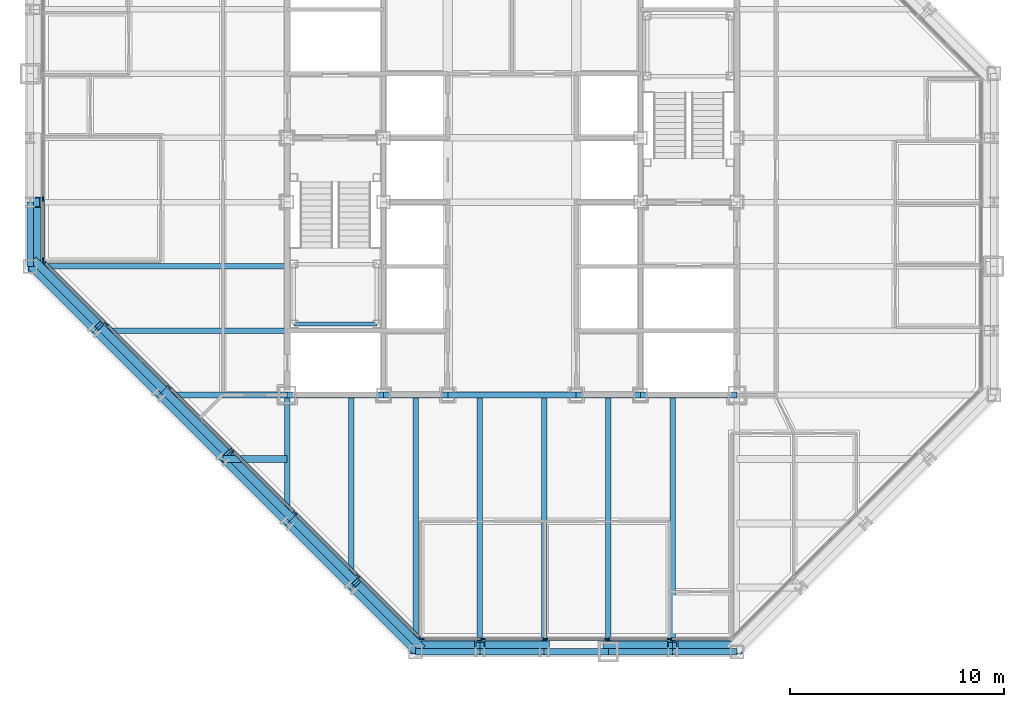
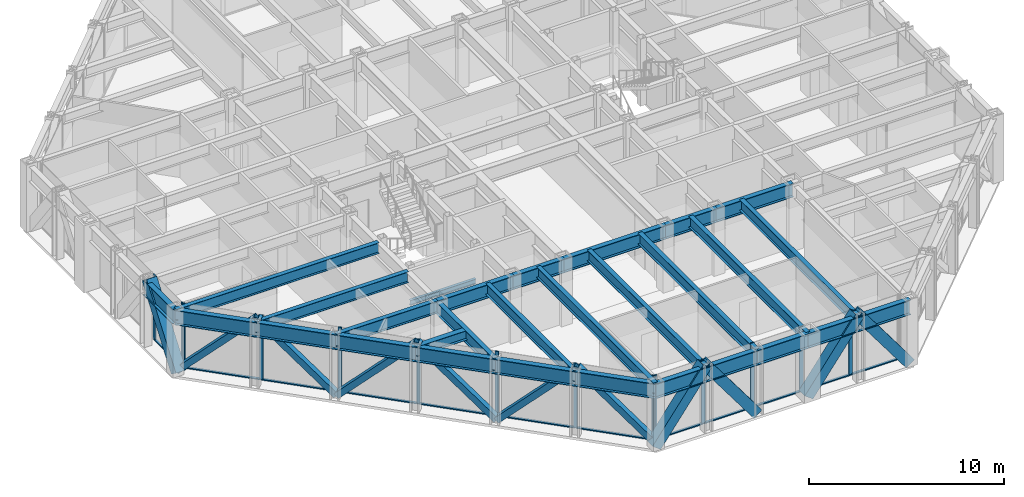
# One storey, part 5 of 16: 37 members, 29 beams, 3 elements without a shape of their own.
"""IFC4 building model written with IfcOpenShell, lengths in metres."""

from ifc_helpers import new_model, si_unit, direction, frame, origin, origin_2d, place, context, subcontext, project, spatial, rectangle, hollow_rectangle, i_section, extrude, material, layer, layer_set, material_profile, profile_set, type_object, element, aggregate, save


model = new_model("IFC4")

# Units and contexts
model_context = context("Model", 3, precision=1e-05, world=origin(), true_north=direction((0.0, 1.0)))
body_context = subcontext(model_context, "Body", "Model", "MODEL_VIEW")
ifc_project = project(units=[si_unit("LENGTHUNIT", "METRE"), si_unit("AREAUNIT", "SQUARE_METRE"), si_unit("VOLUMEUNIT", "CUBIC_METRE"), si_unit("PLANEANGLEUNIT", "RADIAN"), si_unit("MASSUNIT", "GRAM", prefix="KILO")], contexts=[model_context])

# Site, building, storey
site_placement = place(None, origin())
site = spatial("IfcSite", under=ifc_project, at=site_placement, CompositionType="ELEMENT")
building_placement = place(site_placement, origin())
building = spatial("IfcBuilding", under=site, at=building_placement, Name="Chuquiago Exchange Tower", CompositionType="ELEMENT")
storey_placement = place(building_placement, frame((0.0, 0.0, 213.89990234375)))
storey = spatial("IfcBuildingStorey", under=building, at=storey_placement, Name="L47", CompositionType="ELEMENT", Elevation=213.89990234375)

# Beams
ifc_material_1 = material(Name="Steel ASTM A992", Category="steel")
ifc_material_profile_1 = material_profile(ifc_material_1, i_section(OverallWidth=0.25390625, OverallDepth=0.683349609375, WebThickness=0.012451171875, FlangeThickness=0.018798828125, at=origin_2d()), Name="W27X94")
ifc_profile_set_1 = profile_set([ifc_material_profile_1], Name="Steel ASTM A992")
beam_type_1 = type_object("IfcBeamType", Name="B1 W27X94", PredefinedType="BEAM", material=ifc_profile_set_1)
beam_1_placement = place(storey_placement, frame((15.0, 12.0, 3.698486328125), z_axis=(0.0, -1.0, 0.0), x_axis=(1.0, 0.0, 0.0)))
element("IfcBeam", 1, at=beam_1_placement, inside=storey, type_object=beam_type_1, Name="FB-L48-infill-15_12-15_3-0", PredefinedType="BEAM", context=body_context, shape_type="SweptSolid", body=[
    extrude(i_section(OverallWidth=0.25390625, OverallDepth=0.683349609375, WebThickness=0.012451171875, FlangeThickness=0.018798828125, at=origin_2d()), origin(), (0.0, 0.0, 1.0), 9.0),
])
for number, where, z_axis, x_axis, name in (
    (2, (18.0, 12.0, 3.698486328125), (0.0, -1.0, 0.0), (1.0, 0.0, 0.0), "FB-L48-infill-18_12-18_-0-0"),
    (3, (21.0, 12.0, 3.698486328125), (0.0, -1.0, 0.0), (1.0, 0.0, 0.0), "FB-L48-infill-21_12-21_-0-0"),
    (4, (24.0, 12.0, 3.698486328125), (0.0, -1.0, 0.0), (1.0, 0.0, 0.0), "FB-L48-infill-24_12-24_-0-0"),
    (5, (27.0, 12.0, 3.698486328125), (0.0, -1.0, 0.0), (1.0, 0.0, 0.0), "FB-L48-infill-27_12-27_-0-0"),
    (6, (30.0, 12.0, 3.698486328125), (0.0, -1.0, 0.0), (1.0, 0.0, 0.0), "FB-L48-infill-30_12-30_-0-0"),
):
    element("IfcBeam", number, at=place(storey_placement, frame(where, z_axis=z_axis, x_axis=x_axis)), inside=storey, type_object=beam_type_1, Name=name, PredefinedType="BEAM", context=body_context, shape_type="SweptSolid", body=[
        extrude(i_section(OverallWidth=0.25390625, OverallDepth=0.683349609375, WebThickness=0.012451171875, FlangeThickness=0.018798828125, at=origin_2d()), origin(), (0.0, 0.0, 1.0), 12.0),
    ])
beam_2_placement = place(storey_placement, frame((12.0, 15.0, 3.698486328125), z_axis=(-1.0, 0.0, 0.0), x_axis=(0.0, -1.0, 0.0)))
element("IfcBeam", 7, at=beam_2_placement, inside=storey, type_object=beam_type_1, Name="FB-L48-infill-12_15-3_15-0", PredefinedType="BEAM", context=body_context, shape_type="SweptSolid", body=[
    extrude(i_section(OverallWidth=0.25390625, OverallDepth=0.683349609375, WebThickness=0.012451171875, FlangeThickness=0.018798828125, at=origin_2d()), origin(), (0.0, 0.0, 1.0), 9.0),
])
beam_3_placement = place(storey_placement, frame((12.0, 18.0, 3.698486328125), z_axis=(-1.0, 0.0, 0.0), x_axis=(0.0, -1.0, 0.0)))
element("IfcBeam", 8, at=beam_3_placement, inside=storey, type_object=beam_type_1, Name="FB-L48-infill-12_18--0_18-0", PredefinedType="BEAM", context=body_context, shape_type="SweptSolid", body=[
    extrude(i_section(OverallWidth=0.25390625, OverallDepth=0.683349609375, WebThickness=0.012451171875, FlangeThickness=0.018798828125, at=origin_2d()), origin(), (0.0, 0.0, 1.0), 12.0),
])
ifc_material_2 = material(Name="Steel ASTM A992", Category="steel")
ifc_material_profile_2 = material_profile(ifc_material_2, i_section(OverallWidth=0.3251953125, OverallDepth=0.612060546875, WebThickness=0.0126953125, FlangeThickness=0.01904296875, at=origin_2d()), Name="W24X104")
ifc_profile_set_2 = profile_set([ifc_material_profile_2], Name="Steel ASTM A992")
beam_type_2 = type_object("IfcBeamType", Name="B2 W24X104", PredefinedType="BEAM", material=ifc_profile_set_2)
beam_4_placement = place(storey_placement, frame((12.0, 9.0, 3.73388671875), z_axis=(-1.0, 0.0, 0.0), x_axis=(0.0, -1.0, 0.0)))
element("IfcBeam", 9, at=beam_4_placement, inside=storey, type_object=beam_type_2, Name="FB-L48-corner-12_9-9_9-0", PredefinedType="BEAM", context=body_context, shape_type="SweptSolid", body=[
    extrude(i_section(OverallWidth=0.3251953125, OverallDepth=0.612060546875, WebThickness=0.0126953125, FlangeThickness=0.01904296875, at=origin_2d()), origin(), (0.0, 0.0, 1.0), 3.0),
])
ifc_material_3 = material(Name="Steel ASTM A992", Category="steel")
ifc_material_profile_3 = material_profile(ifc_material_3, i_section(OverallWidth=0.2919921875, OverallDepth=0.8583984375, WebThickness=0.01708984375, FlangeThickness=0.031005859375, at=origin_2d()), Name="W33X169")
ifc_profile_set_3 = profile_set([ifc_material_profile_3], Name="Steel ASTM A992")
beam_type_3 = type_object("IfcBeamType", Name="B3 W33X169", PredefinedType="BEAM", material=ifc_profile_set_3)
beam_5_placement = place(storey_placement, frame((12.0, 12.0, 3.61083984375), z_axis=(1.0, 0.0, 0.0), x_axis=(0.0, 1.0, 0.0)))
element("IfcBeam", 10, at=beam_5_placement, inside=storey, type_object=beam_type_3, Name="CB-L48-12_12-16.5_12", PredefinedType="BEAM", context=body_context, shape_type="SweptSolid", body=[
    extrude(i_section(OverallWidth=0.2919921875, OverallDepth=0.8583984375, WebThickness=0.01708984375, FlangeThickness=0.031005859375, at=origin_2d()), origin(), (0.0, 0.0, 1.0), 4.5),
])
beam_6_placement = place(storey_placement, frame((16.5, 12.0, 3.61083984375), z_axis=(1.0, 0.0, 0.0), x_axis=(0.0, 1.0, 0.0)))
element("IfcBeam", 11, at=beam_6_placement, inside=storey, type_object=beam_type_3, Name="CB-L48-16.5_12-19.5_12", PredefinedType="BEAM", context=body_context, shape_type="SweptSolid", body=[
    extrude(i_section(OverallWidth=0.2919921875, OverallDepth=0.8583984375, WebThickness=0.01708984375, FlangeThickness=0.031005859375, at=origin_2d()), origin(), (0.0, 0.0, 1.0), 3.0),
])
beam_7_placement = place(storey_placement, frame((19.5, 12.0, 3.61083984375), z_axis=(1.0, 0.0, 0.0), x_axis=(0.0, 1.0, 0.0)))
element("IfcBeam", 12, at=beam_7_placement, inside=storey, type_object=beam_type_3, Name="CB-L48-19.5_12-25.5_12", PredefinedType="BEAM", context=body_context, shape_type="SweptSolid", body=[
    extrude(i_section(OverallWidth=0.2919921875, OverallDepth=0.8583984375, WebThickness=0.01708984375, FlangeThickness=0.031005859375, at=origin_2d()), origin(), (0.0, 0.0, 1.0), 6.0),
])
beam_8_placement = place(storey_placement, frame((25.5, 12.0, 3.61083984375), z_axis=(1.0, 0.0, 0.0), x_axis=(0.0, 1.0, 0.0)))
element("IfcBeam", 13, at=beam_8_placement, inside=storey, type_object=beam_type_3, Name="CB-L48-25.5_12-28.5_12", PredefinedType="BEAM", context=body_context, shape_type="SweptSolid", body=[
    extrude(i_section(OverallWidth=0.2919921875, OverallDepth=0.8583984375, WebThickness=0.01708984375, FlangeThickness=0.031005859375, at=origin_2d()), origin(), (0.0, 0.0, 1.0), 3.0),
])
beam_9_placement = place(storey_placement, frame((28.5, 12.0, 3.61083984375), z_axis=(1.0, 0.0, 0.0), x_axis=(0.0, 1.0, 0.0)))
element("IfcBeam", 14, at=beam_9_placement, inside=storey, type_object=beam_type_3, Name="CB-L48-28.5_12-33_12", PredefinedType="BEAM", context=body_context, shape_type="SweptSolid", body=[
    extrude(i_section(OverallWidth=0.2919921875, OverallDepth=0.8583984375, WebThickness=0.01708984375, FlangeThickness=0.031005859375, at=origin_2d()), origin(), (0.0, 0.0, 1.0), 4.5),
])

# Curtain wall, members
ifc_material_4 = material(Name="Aluminium curtain wall system", Category="aluminium")
ifc_layer_1 = layer(ifc_material_4, 0.22509765625)
ifc_layer_set_1 = layer_set([ifc_layer_1], Name="CW2 office curtain wall")
curtain_wall_type_1 = type_object("IfcCurtainWallType", Name="CW2 office curtain wall", PredefinedType="NOTDEFINED", material=ifc_layer_set_1)
curtain_wall_1_placement = place(storey_placement, origin())
curtain_wall_1 = element("IfcCurtainWall", 15, at=curtain_wall_1_placement, inside=storey, type_object=curtain_wall_type_1, Name="CW2 curtain wall L47", PredefinedType="NOTDEFINED")
ifc_material_5 = material(Name="Aluminium mullion, pale anodised", Category="aluminium")
ifc_material_profile_4 = material_profile(ifc_material_5, rectangle(XDim=0.06494140625, YDim=0.22509765625, at=origin_2d()), Name="AL 65x225")
ifc_profile_set_4 = profile_set([ifc_material_profile_4], Name="Aluminium mullion, pale anodised")
member_type_1 = type_object("IfcMemberType", Name="CW2-M mullion 65x225", PredefinedType="MULLION", material=ifc_profile_set_4)
member_1_placement = place(storey_placement, frame((18.281005859375, 0.60009765625, 0.0), z_axis=(0.0, 0.0, 1.0), x_axis=(0.0, 1.0, 0.0)))
member_1 = element("IfcMember", 16, at=member_1_placement, type_object=member_type_1, Name="CW2 mullion 1", PredefinedType="MULLION", context=body_context, shape_type="SweptSolid", body=[
    extrude(rectangle(XDim=0.06494140625, YDim=0.22509765625, at=origin_2d()), origin(), (0.0, 0.0, 1.0), 4.0400390625),
])
member_2_placement = place(storey_placement, frame((21.149169921875, 0.60009765625, 0.0), z_axis=(0.0, 0.0, 1.0), x_axis=(0.0, 1.0, 0.0)))
member_2 = element("IfcMember", 17, at=member_2_placement, type_object=member_type_1, Name="CW2 mullion 2", PredefinedType="MULLION", context=body_context, shape_type="SweptSolid", body=[
    extrude(rectangle(XDim=0.06494140625, YDim=0.22509765625, at=origin_2d()), origin(), (0.0, 0.0, 1.0), 4.0400390625),
])
member_3_placement = place(storey_placement, frame((24.0498046875, 0.60009765625, 0.0), z_axis=(0.0, 0.0, 1.0), x_axis=(0.0, 1.0, 0.0)))
member_3 = element("IfcMember", 18, at=member_3_placement, type_object=member_type_1, Name="CW2 mullion 3", PredefinedType="MULLION", context=body_context, shape_type="SweptSolid", body=[
    extrude(rectangle(XDim=0.06494140625, YDim=0.22509765625, at=origin_2d()), origin(), (0.0, 0.0, 1.0), 4.0400390625),
])
member_4_placement = place(storey_placement, frame((26.9501953125, 0.60009765625, 0.0), z_axis=(0.0, 0.0, 1.0), x_axis=(0.0, 1.0, 0.0)))
member_4 = element("IfcMember", 19, at=member_4_placement, type_object=member_type_1, Name="CW2 mullion 4", PredefinedType="MULLION", context=body_context, shape_type="SweptSolid", body=[
    extrude(rectangle(XDim=0.06494140625, YDim=0.22509765625, at=origin_2d()), origin(), (0.0, 0.0, 1.0), 4.0400390625),
])
member_5_placement = place(storey_placement, frame((29.850830078125, 0.60009765625, 0.0), z_axis=(0.0, 0.0, 1.0), x_axis=(0.0, 1.0, 0.0)))
member_5 = element("IfcMember", 20, at=member_5_placement, type_object=member_type_1, Name="CW2 mullion 5", PredefinedType="MULLION", context=body_context, shape_type="SweptSolid", body=[
    extrude(rectangle(XDim=0.06494140625, YDim=0.22509765625, at=origin_2d()), origin(), (0.0, 0.0, 1.0), 4.0400390625),
])

curtain_wall_2_placement = place(storey_placement, origin())
curtain_wall_2 = element("IfcCurtainWall", 21, at=curtain_wall_2_placement, inside=storey, type_object=curtain_wall_type_1, Name="CW2 curtain wall L47", PredefinedType="NOTDEFINED")
member_6_placement = place(storey_placement, frame((0.60009765625, 21.149169921875, 0.0), z_axis=(0.0, 0.0, 1.0), x_axis=(1.0, 0.0, 0.0)))
member_6 = element("IfcMember", 22, at=member_6_placement, type_object=member_type_1, Name="CW2 mullion 5", PredefinedType="MULLION", context=body_context, shape_type="SweptSolid", body=[
    extrude(rectangle(XDim=0.06494140625, YDim=0.22509765625, at=origin_2d()), origin(), (0.0, 0.0, 1.0), 4.0400390625),
])
member_7_placement = place(storey_placement, frame((0.60009765625, 18.281005859375, 0.0), z_axis=(0.0, 0.0, 1.0), x_axis=(1.0, 0.0, 0.0)))
member_7 = element("IfcMember", 23, at=member_7_placement, type_object=member_type_1, Name="CW2 mullion 6", PredefinedType="MULLION", context=body_context, shape_type="SweptSolid", body=[
    extrude(rectangle(XDim=0.06494140625, YDim=0.22509765625, at=origin_2d()), origin(), (0.0, 0.0, 1.0), 4.0400390625),
])

# Member
ifc_material_6 = material(Name="Aluminium transom, pale anodised", Category="aluminium")
ifc_material_profile_5 = material_profile(ifc_material_6, rectangle(XDim=0.139892578125, YDim=0.06494140625, at=origin_2d()), Name="AL 140x65")
ifc_profile_set_5 = profile_set([ifc_material_profile_5], Name="Aluminium transom, pale anodised")
member_type_2 = type_object("IfcMemberType", Name="CW2-T transom 65x140", PredefinedType="MULLION", material=ifc_profile_set_5)
member_8_placement = place(storey_placement, frame((18.3134765625, 0.60009765625, 0.03271484375), z_axis=(1.0, 0.0, 0.0), x_axis=(0.0, 1.0, 0.0)))
member_8 = element("IfcMember", 24, at=member_8_placement, type_object=member_type_2, Name="CW2 transom 1.1", PredefinedType="MULLION", context=body_context, shape_type="SweptSolid", body=[
    extrude(rectangle(XDim=0.139892578125, YDim=0.06494140625, at=origin_2d()), origin(), (0.0, 0.0, 1.0), 2.80322265625),
])

member_9_placement = place(storey_placement, frame((21.181640625, 0.60009765625, 0.03271484375), z_axis=(1.0, 0.0, 0.0), x_axis=(0.0, 1.0, 0.0)))
member_9 = element("IfcMember", 25, at=member_9_placement, type_object=member_type_2, Name="CW2 transom 2.1", PredefinedType="MULLION", context=body_context, shape_type="SweptSolid", body=[
    extrude(rectangle(XDim=0.139892578125, YDim=0.06494140625, at=origin_2d()), origin(), (0.0, 0.0, 1.0), 2.83544921875),
])

member_10_placement = place(storey_placement, frame((24.082275390625, 0.60009765625, 0.03271484375), z_axis=(1.0, 0.0, 0.0), x_axis=(0.0, 1.0, 0.0)))
member_10 = element("IfcMember", 26, at=member_10_placement, type_object=member_type_2, Name="CW2 transom 3.1", PredefinedType="MULLION", context=body_context, shape_type="SweptSolid", body=[
    extrude(rectangle(XDim=0.139892578125, YDim=0.06494140625, at=origin_2d()), origin(), (0.0, 0.0, 1.0), 2.83544921875),
])

member_11_placement = place(storey_placement, frame((26.98291015625, 0.60009765625, 0.03271484375), z_axis=(1.0, 0.0, 0.0), x_axis=(0.0, 1.0, 0.0)))
member_11 = element("IfcMember", 27, at=member_11_placement, type_object=member_type_2, Name="CW2 transom 4.1", PredefinedType="MULLION", context=body_context, shape_type="SweptSolid", body=[
    extrude(rectangle(XDim=0.139892578125, YDim=0.06494140625, at=origin_2d()), origin(), (0.0, 0.0, 1.0), 2.83544921875),
])

member_12_placement = place(storey_placement, frame((29.88330078125, 0.60009765625, 0.03271484375), z_axis=(1.0, 0.0, 0.0), x_axis=(0.0, 1.0, 0.0)))
member_12 = element("IfcMember", 28, at=member_12_placement, type_object=member_type_2, Name="CW2 transom 5.1", PredefinedType="MULLION", context=body_context, shape_type="SweptSolid", body=[
    extrude(rectangle(XDim=0.139892578125, YDim=0.06494140625, at=origin_2d()), origin(), (0.0, 0.0, 1.0), 2.80322265625),
])

aggregate(curtain_wall_1, [member_1, member_2, member_3, member_4, member_5, member_8, member_9, member_10, member_11, member_12])

member_13_placement = place(storey_placement, frame((0.60009765625, 21.11669921875, 0.03271484375), z_axis=(0.0, -1.0, 0.0), x_axis=(1.0, 0.0, 0.0)))
member_13 = element("IfcMember", 29, at=member_13_placement, type_object=member_type_2, Name="CW2 transom 5.1", PredefinedType="MULLION", context=body_context, shape_type="SweptSolid", body=[
    extrude(rectangle(XDim=0.139892578125, YDim=0.06494140625, at=origin_2d()), origin(), (0.0, 0.0, 1.0), 2.80322265625),
])

aggregate(curtain_wall_2, [member_6, member_7, member_13])

# Curtain wall, members
ifc_material_7 = material(Name="Aluminium curtain wall system", Category="aluminium")
ifc_layer_2 = layer(ifc_material_7, 0.199951171875)
ifc_layer_set_2 = layer_set([ifc_layer_2], Name="CW3 facet curtain wall")
curtain_wall_type_2 = type_object("IfcCurtainWallType", Name="CW3 facet curtain wall", PredefinedType="NOTDEFINED", material=ifc_layer_set_2)
curtain_wall_3_placement = place(storey_placement, origin())
curtain_wall_3 = element("IfcCurtainWall", 30, at=curtain_wall_3_placement, inside=storey, type_object=curtain_wall_type_2, Name="CW3 curtain wall L47", PredefinedType="NOTDEFINED")
ifc_material_8 = material(Name="Aluminium mullion, pale anodised", Category="aluminium")
ifc_material_profile_6 = material_profile(ifc_material_8, rectangle(XDim=0.06494140625, YDim=0.199951171875, at=origin_2d()), Name="AL 65x200")
ifc_profile_set_6 = profile_set([ifc_material_profile_6], Name="Aluminium mullion, pale anodised")
member_type_3 = type_object("IfcMemberType", Name="CW3-M mullion 65x200", PredefinedType="MULLION", material=ifc_profile_set_6)
member_14_placement = place(storey_placement, frame((0.623046875, 18.2255859375, 0.0), z_axis=(0.0, 0.0, 1.0), x_axis=(0.707106781187, 0.707106781187, 0.0)))
member_14 = element("IfcMember", 31, at=member_14_placement, type_object=member_type_3, Name="CW3 mullion 1", PredefinedType="MULLION", context=body_context, shape_type="SweptSolid", body=[
    extrude(rectangle(XDim=0.06494140625, YDim=0.199951171875, at=origin_2d()), origin(), (0.0, 0.0, 1.0), 4.0400390625),
])
member_15_placement = place(storey_placement, frame((3.54150390625, 15.30712890625, 0.0), z_axis=(0.0, 0.0, 1.0), x_axis=(0.707106781187, 0.707106781187, 0.0)))
member_15 = element("IfcMember", 32, at=member_15_placement, type_object=member_type_3, Name="CW3 mullion 2", PredefinedType="MULLION", context=body_context, shape_type="SweptSolid", body=[
    extrude(rectangle(XDim=0.06494140625, YDim=0.199951171875, at=origin_2d()), origin(), (0.0, 0.0, 1.0), 4.0400390625),
])
member_16_placement = place(storey_placement, frame((6.48291015625, 12.36572265625, 0.0), z_axis=(0.0, 0.0, 1.0), x_axis=(0.707106781187, 0.707106781187, 0.0)))
member_16 = element("IfcMember", 33, at=member_16_placement, type_object=member_type_3, Name="CW3 mullion 3", PredefinedType="MULLION", context=body_context, shape_type="SweptSolid", body=[
    extrude(rectangle(XDim=0.06494140625, YDim=0.199951171875, at=origin_2d()), origin(), (0.0, 0.0, 1.0), 4.0400390625),
])
member_17_placement = place(storey_placement, frame((9.42431640625, 9.42431640625, 0.0), z_axis=(0.0, 0.0, 1.0), x_axis=(0.707106781187, 0.707106781187, 0.0)))
member_17 = element("IfcMember", 34, at=member_17_placement, type_object=member_type_3, Name="CW3 mullion 4", PredefinedType="MULLION", context=body_context, shape_type="SweptSolid", body=[
    extrude(rectangle(XDim=0.06494140625, YDim=0.199951171875, at=origin_2d()), origin(), (0.0, 0.0, 1.0), 4.0400390625),
])
member_18_placement = place(storey_placement, frame((12.36572265625, 6.48291015625, 0.0), z_axis=(0.0, 0.0, 1.0), x_axis=(0.707106781187, 0.707106781187, 0.0)))
member_18 = element("IfcMember", 35, at=member_18_placement, type_object=member_type_3, Name="CW3 mullion 5", PredefinedType="MULLION", context=body_context, shape_type="SweptSolid", body=[
    extrude(rectangle(XDim=0.06494140625, YDim=0.199951171875, at=origin_2d()), origin(), (0.0, 0.0, 1.0), 4.0400390625),
])
member_19_placement = place(storey_placement, frame((15.30712890625, 3.54150390625, 0.0), z_axis=(0.0, 0.0, 1.0), x_axis=(0.707106781187, 0.707106781187, 0.0)))
member_19 = element("IfcMember", 36, at=member_19_placement, type_object=member_type_3, Name="CW3 mullion 6", PredefinedType="MULLION", context=body_context, shape_type="SweptSolid", body=[
    extrude(rectangle(XDim=0.06494140625, YDim=0.199951171875, at=origin_2d()), origin(), (0.0, 0.0, 1.0), 4.0400390625),
])
member_20_placement = place(storey_placement, frame((18.2255859375, 0.623046875, 0.0), z_axis=(0.0, 0.0, 1.0), x_axis=(0.707106781187, 0.707106781187, 0.0)))
member_20 = element("IfcMember", 37, at=member_20_placement, type_object=member_type_3, Name="CW3 mullion 7", PredefinedType="MULLION", context=body_context, shape_type="SweptSolid", body=[
    extrude(rectangle(XDim=0.06494140625, YDim=0.199951171875, at=origin_2d()), origin(), (0.0, 0.0, 1.0), 4.0400390625),
])
ifc_material_9 = material(Name="Aluminium transom, pale anodised", Category="aluminium")
ifc_material_profile_7 = material_profile(ifc_material_9, rectangle(XDim=0.139892578125, YDim=0.06494140625, at=origin_2d()), Name="AL 140x65")
ifc_profile_set_7 = profile_set([ifc_material_profile_7], Name="Aluminium transom, pale anodised")
member_type_4 = type_object("IfcMemberType", Name="CW3-T transom 65x140", PredefinedType="MULLION", material=ifc_profile_set_7)
member_21_placement = place(storey_placement, frame((0.64599609375, 18.20263671875, 0.03271484375), z_axis=(0.707106781187, -0.707106781187, 0.0), x_axis=(0.707106781187, 0.707106781187, 0.0)))
member_21 = element("IfcMember", 38, at=member_21_placement, type_object=member_type_4, Name="CW3 transom 1.1", PredefinedType="MULLION", context=body_context, shape_type="SweptSolid", body=[
    extrude(rectangle(XDim=0.139892578125, YDim=0.06494140625, at=origin_2d()), origin(), (0.0, 0.0, 1.0), 4.0625),
])
member_22_placement = place(storey_placement, frame((3.564453125, 15.2841796875, 0.03271484375), z_axis=(0.707106781187, -0.707106781187, 0.0), x_axis=(0.707106781187, 0.707106781187, 0.0)))
member_22 = element("IfcMember", 39, at=member_22_placement, type_object=member_type_4, Name="CW3 transom 2.1", PredefinedType="MULLION", context=body_context, shape_type="SweptSolid", body=[
    extrude(rectangle(XDim=0.139892578125, YDim=0.06494140625, at=origin_2d()), origin(), (0.0, 0.0, 1.0), 4.094970703125),
])
member_23_placement = place(storey_placement, frame((6.505859375, 12.3427734375, 0.03271484375), z_axis=(0.707106781187, -0.707106781187, 0.0), x_axis=(0.707106781187, 0.707106781187, 0.0)))
member_23 = element("IfcMember", 40, at=member_23_placement, type_object=member_type_4, Name="CW3 transom 3.1", PredefinedType="MULLION", context=body_context, shape_type="SweptSolid", body=[
    extrude(rectangle(XDim=0.139892578125, YDim=0.06494140625, at=origin_2d()), origin(), (0.0, 0.0, 1.0), 4.094970703125),
])
member_24_placement = place(storey_placement, frame((9.447265625, 9.4013671875, 0.03271484375), z_axis=(0.707106781187, -0.707106781187, 0.0), x_axis=(0.707106781187, 0.707106781187, 0.0)))
member_24 = element("IfcMember", 41, at=member_24_placement, type_object=member_type_4, Name="CW3 transom 4.1", PredefinedType="MULLION", context=body_context, shape_type="SweptSolid", body=[
    extrude(rectangle(XDim=0.139892578125, YDim=0.06494140625, at=origin_2d()), origin(), (0.0, 0.0, 1.0), 4.094970703125),
])
member_25_placement = place(storey_placement, frame((12.388671875, 6.4599609375, 0.03271484375), z_axis=(0.707106781187, -0.707106781187, 0.0), x_axis=(0.707106781187, 0.707106781187, 0.0)))
member_25 = element("IfcMember", 42, at=member_25_placement, type_object=member_type_4, Name="CW3 transom 5.1", PredefinedType="MULLION", context=body_context, shape_type="SweptSolid", body=[
    extrude(rectangle(XDim=0.139892578125, YDim=0.06494140625, at=origin_2d()), origin(), (0.0, 0.0, 1.0), 4.094970703125),
])
member_26_placement = place(storey_placement, frame((15.330078125, 3.5185546875, 0.03271484375), z_axis=(0.707106781187, -0.707106781187, 0.0), x_axis=(0.707106781187, 0.707106781187, 0.0)))
member_26 = element("IfcMember", 43, at=member_26_placement, type_object=member_type_4, Name="CW3 transom 6.1", PredefinedType="MULLION", context=body_context, shape_type="SweptSolid", body=[
    extrude(rectangle(XDim=0.139892578125, YDim=0.06494140625, at=origin_2d()), origin(), (0.0, 0.0, 1.0), 4.0625),
])
aggregate(curtain_wall_3, [member_14, member_15, member_16, member_17, member_18, member_19, member_20, member_21, member_22, member_23, member_24, member_25, member_26])

# Beams
ifc_material_10 = material(Name="Steel ASTM A992", Category="steel")
ifc_material_profile_8 = material_profile(ifc_material_10, i_section(OverallWidth=0.2666015625, OverallDepth=0.76953125, WebThickness=0.015625, FlangeThickness=0.025390625, at=origin_2d()), Name="W30X132")
ifc_profile_set_8 = profile_set([ifc_material_profile_8], Name="Steel ASTM A992")
beam_type_4 = type_object("IfcBeamType", Name="G1 W30X132", PredefinedType="BEAM", material=ifc_profile_set_8)
for number, where, z_axis, x_axis, name in (
    (44, (12.0, 12.0, 3.6552734375), (0.0, -1.0, 0.0), (1.0, 0.0, 0.0), "FB-L48-girder-12_12-12_6-0"),
    (45, (12.0, 12.0, 3.6552734375), (-1.0, 0.0, 0.0), (0.0, -1.0, 0.0), "FB-L48-girder-12_12-6_12-0"),
):
    element("IfcBeam", number, at=place(storey_placement, frame(where, z_axis=z_axis, x_axis=x_axis)), inside=storey, type_object=beam_type_4, Name=name, PredefinedType="BEAM", context=body_context, shape_type="SweptSolid", body=[
        extrude(i_section(OverallWidth=0.2666015625, OverallDepth=0.76953125, WebThickness=0.015625, FlangeThickness=0.025390625, at=origin_2d()), origin(), (0.0, 0.0, 1.0), 6.0),
    ])

# Members
ifc_material_11 = material(Name="Steel ASTM A500 Grade C", Category="steel")
ifc_material_profile_9 = material_profile(ifc_material_11, hollow_rectangle(XDim=0.355712890625, YDim=0.355712890625, WallThickness=0.0146484375, at=origin_2d()), Name="HSS14X14X5/8")
ifc_profile_set_9 = profile_set([ifc_material_profile_9], Name="Steel ASTM A500 Grade C")
member_type_5 = type_object("IfcMemberType", Name="LB2 HSS14X14X5/8", PredefinedType="BRACE", material=ifc_profile_set_9)
for number, where, z_axis, x_axis, name in (
    (46, (0.2314453125, 18.2314453125, 0.0), (0.512077265487, -0.512077265487, 0.689604051861), (0.707106781187, 0.707106781187, 0.0), "LB-L47-0_18-3_15"),
    (47, (6.2314453125, 12.2314453125, 0.0), (-0.512077265487, 0.512077265487, 0.689604051861), (-0.707106781187, -0.707106781187, 0.0), "LB-L47-3_15-6_12"),
    (48, (6.2314453125, 12.2314453125, 0.0), (0.512077265487, -0.512077265487, 0.689604051861), (0.707106781187, 0.707106781187, 0.0), "LB-L47-6_12-9_9"),
    (49, (12.2314453125, 6.2314453125, 0.0), (-0.512077265487, 0.512077265487, 0.689604051861), (-0.707106781187, -0.707106781187, 0.0), "LB-L47-9_9-12_6"),
    (50, (12.2314453125, 6.2314453125, 0.0), (0.512077265487, -0.512077265487, 0.689604051861), (0.707106781187, 0.707106781187, 0.0), "LB-L47-12_6-15_3"),
    (51, (18.2314453125, 0.2314453125, 0.0), (-0.512077265487, 0.512077265487, 0.689604051861), (-0.707106781187, -0.707106781187, 0.0), "LB-L47-15_3-18_0"),
):
    element("IfcMember", number, at=place(storey_placement, frame(where, z_axis=z_axis, x_axis=x_axis)), inside=storey, type_object=member_type_5, Name=name, PredefinedType="BRACE", context=body_context, shape_type="SweptSolid", body=[
        extrude(hollow_rectangle(XDim=0.355712890625, YDim=0.355712890625, WallThickness=0.0146484375, at=origin_2d()), origin(), (0.0, 0.0, 1.0), 5.8583984375),
    ])

# Beam
ifc_material_12 = material(Name="Steel ASTM A992", Category="steel")
ifc_material_profile_10 = material_profile(ifc_material_12, i_section(OverallWidth=0.164794921875, OverallDepth=0.309814453125, WebThickness=0.005859375, FlangeThickness=0.009765625, at=origin_2d()), Name="W12X26")
ifc_profile_set_10 = profile_set([ifc_material_profile_10], Name="Steel ASTM A992")
beam_type_5 = type_object("IfcBeamType", Name="LT1 W12X26", PredefinedType="BEAM", material=ifc_profile_set_10)
beam_10_placement = place(storey_placement, frame((12.31005859375, 15.31005859375, 1.7451171875), z_axis=(1.0, 0.0, 0.0), x_axis=(0.0, 1.0, 0.0)))
element("IfcBeam", 52, at=beam_10_placement, inside=storey, type_object=beam_type_5, Name="Stair ST1 L47 landing 1 trimmer", PredefinedType="BEAM", context=body_context, shape_type="SweptSolid", body=[
    extrude(i_section(OverallWidth=0.164794921875, OverallDepth=0.309814453125, WebThickness=0.005859375, FlangeThickness=0.009765625, at=origin_2d()), origin(), (0.0, 0.0, 1.0), 3.8798828125),
])

# Members
ifc_material_13 = material(Name="Steel ASTM A572 Grade 50", Category="steel")
ifc_material_profile_11 = material_profile(ifc_material_13, hollow_rectangle(XDim=0.60009765625, YDim=0.60009765625, WallThickness=0.06005859375, at=origin_2d()), Name="BOX600X600X60")
ifc_profile_set_11 = profile_set([ifc_material_profile_11], Name="Steel ASTM A572 Grade 50")
member_type_6 = type_object("IfcMemberType", Name="MB3 BOX600X600X60", PredefinedType="BRACE", material=ifc_profile_set_11)
for number, where, z_axis, x_axis, name in (
    (53, (18.0, 0.205078125, 0.0), (0.596173923302, 0.0, 0.802855312728), (0.0, 1.0, 0.0), "Mega diagonal L47 S face"),
    (54, (24.0, 0.205078125, 0.0), (-0.596173923302, 0.0, 0.802855312728), (0.0, -1.0, 0.0), "Mega diagonal L47 S face"),
    (55, (27.0, 0.205078125, 0.0), (0.596173923302, 0.0, 0.802855312728), (0.0, 1.0, 0.0), "Mega diagonal L47 S face"),
    (56, (33.0, 0.205078125, 0.0), (-0.596173923302, 0.0, 0.802855312728), (0.0, -1.0, 0.0), "Mega diagonal L47 S face"),
    (57, (0.205078125, 18.0, 0.0), (0.0, 0.596173923302, 0.802855312728), (-1.0, 0.0, 0.0), "Mega diagonal L47 W face"),
):
    element("IfcMember", number, at=place(storey_placement, frame(where, z_axis=z_axis, x_axis=x_axis)), inside=storey, type_object=member_type_6, Name=name, PredefinedType="BRACE", context=body_context, shape_type="SweptSolid", body=[
        extrude(hollow_rectangle(XDim=0.60009765625, YDim=0.60009765625, WallThickness=0.06005859375, at=origin_2d()), origin(), (0.0, 0.0, 1.0), 5.031982421875),
    ])

# Beams
ifc_material_14 = material(Name="Steel ASTM A992", Category="steel")
ifc_material_profile_12 = material_profile(ifc_material_14, i_section(OverallWidth=0.307373046875, OverallDepth=0.927001953125, WebThickness=0.01953125, FlangeThickness=0.031982421875, at=origin_2d()), Name="W36X194")
ifc_profile_set_12 = profile_set([ifc_material_profile_12], Name="Steel ASTM A992")
beam_type_6 = type_object("IfcBeamType", Name="SP3 W36X194", PredefinedType="SPANDREL", material=ifc_profile_set_12)
for number, where, z_axis, x_axis, name in (
    (58, (18.0, 0.0, 3.576416015625), (1.0, 0.0, 0.0), (0.0, 1.0, 0.0), "SPB-L48-18_0-21_0"),
    (59, (21.0, 0.0, 3.576416015625), (1.0, 0.0, 0.0), (0.0, 1.0, 0.0), "SPB-L48-21_0-24_0"),
    (60, (24.0, 0.0, 3.576416015625), (1.0, 0.0, 0.0), (0.0, 1.0, 0.0), "SPB-L48-24_0-27_0"),
    (61, (27.0, 0.0, 3.576416015625), (1.0, 0.0, 0.0), (0.0, 1.0, 0.0), "SPB-L48-27_0-30_0"),
    (62, (30.0, 0.0, 3.576416015625), (1.0, 0.0, 0.0), (0.0, 1.0, 0.0), "SPB-L48-30_0-33_0"),
    (63, (0.0, 21.0, 3.576416015625), (0.0, -1.0, 0.0), (1.0, 0.0, 0.0), "SPB-L48-0_21-0_18"),
):
    element("IfcBeam", number, at=place(storey_placement, frame(where, z_axis=z_axis, x_axis=x_axis)), inside=storey, type_object=beam_type_6, Name=name, PredefinedType="SPANDREL", context=body_context, shape_type="SweptSolid", body=[
        extrude(i_section(OverallWidth=0.307373046875, OverallDepth=0.927001953125, WebThickness=0.01953125, FlangeThickness=0.031982421875, at=origin_2d()), origin(), (0.0, 0.0, 1.0), 3.0),
    ])
for number, where, z_axis, x_axis, name in (
    (64, (0.0, 18.0, 3.576416015625), (0.707106781187, -0.707106781187, 0.0), (0.707106781187, 0.707106781187, 0.0), "SPB-L48-0_18-3_15"),
    (65, (3.0, 15.0, 3.576416015625), (0.707106781187, -0.707106781187, 0.0), (0.707106781187, 0.707106781187, 0.0), "SPB-L48-3_15-6_12"),
    (66, (6.0, 12.0, 3.576416015625), (0.707106781187, -0.707106781187, 0.0), (0.707106781187, 0.707106781187, 0.0), "SPB-L48-6_12-9_9"),
    (67, (9.0, 9.0, 3.576416015625), (0.707106781187, -0.707106781187, 0.0), (0.707106781187, 0.707106781187, 0.0), "SPB-L48-9_9-12_6"),
    (68, (12.0, 6.0, 3.576416015625), (0.707106781187, -0.707106781187, 0.0), (0.707106781187, 0.707106781187, 0.0), "SPB-L48-12_6-15_3"),
    (69, (15.0, 3.0, 3.576416015625), (0.707106781187, -0.707106781187, 0.0), (0.707106781187, 0.707106781187, 0.0), "SPB-L48-15_3-18_0"),
):
    element("IfcBeam", number, at=place(storey_placement, frame(where, z_axis=z_axis, x_axis=x_axis)), inside=storey, type_object=beam_type_6, Name=name, PredefinedType="SPANDREL", context=body_context, shape_type="SweptSolid", body=[
        extrude(i_section(OverallWidth=0.307373046875, OverallDepth=0.927001953125, WebThickness=0.01953125, FlangeThickness=0.031982421875, at=origin_2d()), origin(), (0.0, 0.0, 1.0), 4.24267578125),
    ])

save(model, "model.ifc")
